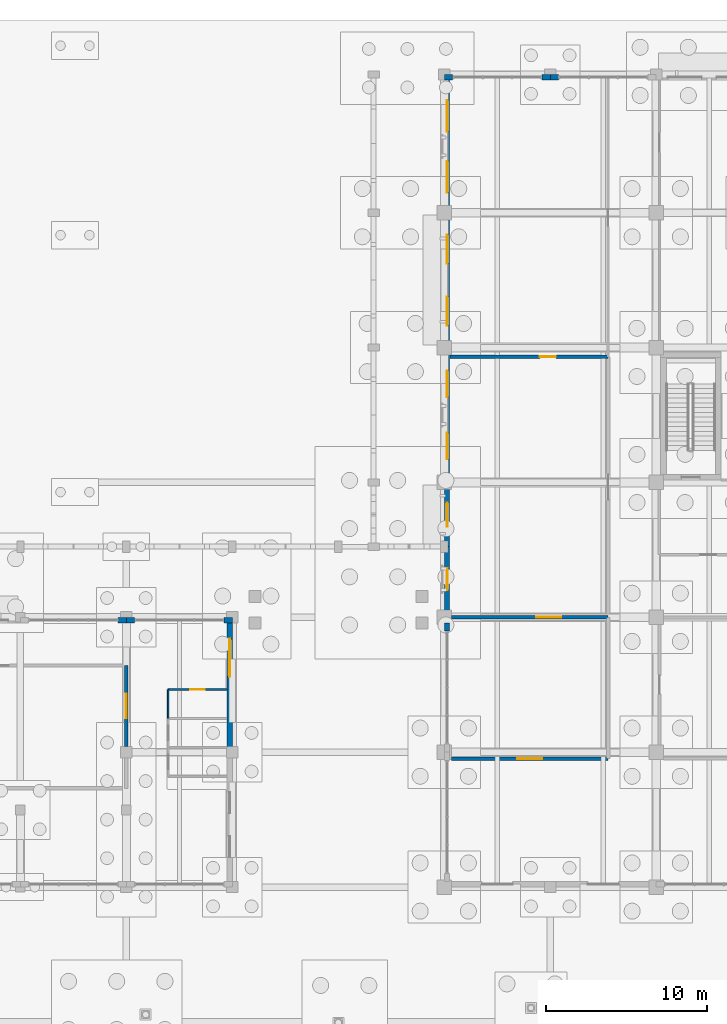
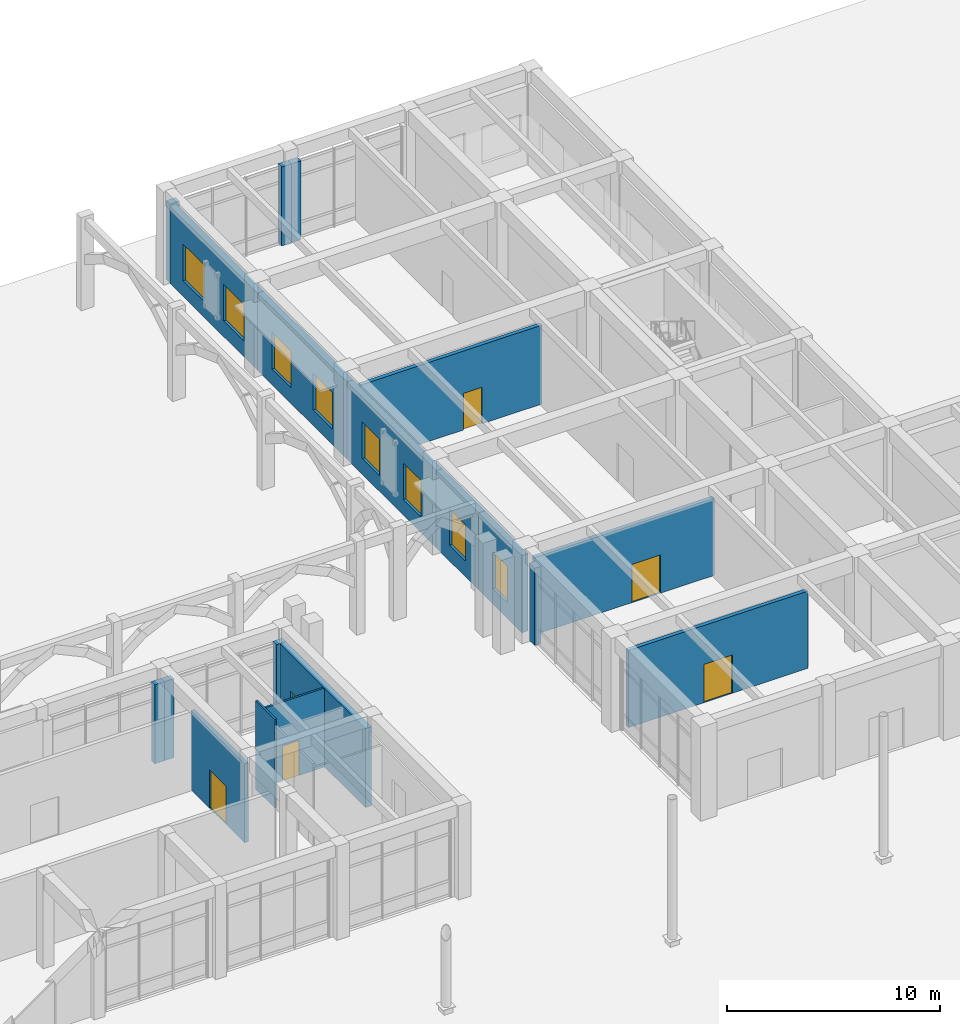
# One storey, part 58 of 82: 19 walls, 9 windows, 5 doors, 14 openings.
"""IFC4 building model written with IfcOpenShell, lengths in metres."""

import ifcopenshell
import ifcopenshell.guid

model = None  # the IFC model being written
_history = None  # IfcOwnerHistory: only IFC2X3 demands one
_inside = {}  # id of a spatial element -> (the spatial element, [elements in it])
_under = {}  # id of a project, library or spatial element -> (it, [spatial elements below it])
_declared = {}  # id of a project -> (the project, [libraries it declares])
_typed = {}  # id of a type object -> (the type object, [elements of that type])
_made_of = {}  # id of a material, layer set ... -> (it, [elements and type objects made of it])


def new_model(schema):
    """Start an empty IFC model of exactly this schema.

    Asked for "IFC4X3", IfcOpenShell would pick the latest addendum, in which some entities
    have other attributes; the version numbers below select the first issue.
    IFC2X3 requires an IfcOwnerHistory on every rooted entity: one is made here for all.
    """
    global model, _history
    if schema == "IFC4X3":
        model = ifcopenshell.file(schema_version=(4, 3, 0, 0))
    else:
        model = ifcopenshell.file(schema=schema)
    _inside.clear()
    _under.clear()
    _declared.clear()
    _typed.clear()
    _made_of.clear()
    _history = None
    if model.schema == "IFC2X3":
        org = make("IfcOrganization", Name="unknown")
        user = make(
            "IfcPersonAndOrganization",
            ThePerson=make("IfcPerson", FamilyName="unknown"),
            TheOrganization=org,
        )
        app = make(
            "IfcApplication",
            ApplicationDeveloper=org,
            Version="unknown",
            ApplicationFullName="unknown",
            ApplicationIdentifier="unknown",
        )
        _history = make(
            "IfcOwnerHistory",
            OwningUser=user,
            OwningApplication=app,
            ChangeAction="ADDED",
            CreationDate=0,
        )
    return model


def make(cls, **values):
    """One entity of the class cls with the attributes given. An attribute that is None is left unset."""
    return model.create_entity(
        cls, **{name: value for name, value in values.items() if value is not None}
    )


def rooted(cls, **values):
    """An entity with a GlobalId (a new one), such as an element, a storey or a relation."""
    return make(cls, GlobalId=ifcopenshell.guid.new(), OwnerHistory=_history, **values)


def si_unit(unit_type, name, prefix=None):
    """IfcSIUnit, for example si_unit("LENGTHUNIT", "METRE", prefix="MILLI")."""
    return make("IfcSIUnit", UnitType=unit_type, Prefix=prefix, Name=name)


def assignment(units):
    """IfcUnitAssignment: the units of a project."""
    return None if units is None else make("IfcUnitAssignment", Units=units)


def point(xyz):
    """IfcCartesianPoint."""
    return None if xyz is None else make("IfcCartesianPoint", Coordinates=xyz)


def direction(xyz):
    """IfcDirection."""
    return None if xyz is None else make("IfcDirection", DirectionRatios=xyz)


def frame(location, z_axis=None, x_axis=None):
    """IfcAxis2Placement3D, a coordinate frame: its origin and axes. An axis left out is left unset."""
    return make(
        "IfcAxis2Placement3D",
        Location=point(location),
        Axis=direction(z_axis),
        RefDirection=direction(x_axis),
    )


def frame_2d(location, x_axis=None):
    """IfcAxis2Placement2D, a coordinate frame in the plane: its origin and x axis."""
    return make(
        "IfcAxis2Placement2D", Location=point(location), RefDirection=direction(x_axis)
    )


def origin():
    """The frame at (0, 0, 0) with its axes left unset."""
    return frame((0.0, 0.0, 0.0))


def place(relative_to, where):
    """IfcLocalPlacement: puts the frame where relative to a parent placement (None: the world)."""
    return make(
        "IfcLocalPlacement", PlacementRelTo=relative_to, RelativePlacement=where
    )


def context(
    kind, dimensions, precision=None, world=None, true_north=None, identifier=None
):
    """IfcGeometricRepresentationContext, for example the 3D "Model" context."""
    return make(
        "IfcGeometricRepresentationContext",
        ContextIdentifier=identifier,
        ContextType=kind,
        CoordinateSpaceDimension=dimensions,
        Precision=precision,
        WorldCoordinateSystem=world,
        TrueNorth=true_north,
    )


def subcontext(parent, identifier, kind, view, scale=None):
    """IfcGeometricRepresentationSubContext, for example "Body" below "Model"."""
    return make(
        "IfcGeometricRepresentationSubContext",
        ContextIdentifier=identifier,
        ContextType=kind,
        ParentContext=parent,
        TargetScale=scale,
        TargetView=view,
    )


def project(units=None, contexts=None):
    """IfcProject with its units and contexts."""
    return rooted(
        "IfcProject",
        Name="project",
        RepresentationContexts=contexts,
        UnitsInContext=assignment(units),
    )


def spatial(cls, under=None, at=None, **own):
    """A site, building, storey or space (cls), placed at a placement, below another one or the project."""
    s = rooted(cls, ObjectPlacement=at, **own)
    if under is not None:
        _under.setdefault(under.id(), (under, []))[1].append(s)
    return s


def profile(cls, at=None, kind="AREA", **sizes):
    """A parametric profile (cls). Its sizes go by their IFC names, for example OverallWidth=200.0."""
    return make(cls, ProfileType=kind, Position=at, **sizes)


def rectangle(**sizes):
    """IfcRectangleProfileDef."""
    return profile("IfcRectangleProfileDef", **sizes)


def extrude(swept, where, along, depth):
    """IfcExtrudedAreaSolid: the profile swept, set in the frame where, extruded along a direction by depth."""
    return make(
        "IfcExtrudedAreaSolid",
        SweptArea=swept,
        Position=where,
        ExtrudedDirection=direction(along),
        Depth=depth,
    )


def shape(context_of_items, identifier, shape_type, items):
    """IfcShapeRepresentation: the items that make up one representation, for example the "Body"."""
    return make(
        "IfcShapeRepresentation",
        ContextOfItems=context_of_items,
        RepresentationIdentifier=identifier,
        RepresentationType=shape_type,
        Items=items,
    )


def material(Name=None, Category=None):
    """IfcMaterial."""
    return make("IfcMaterial", Name=Name, Category=Category)


def layer(
    of_material, thickness, ventilated=None, Name=None, Category=None, Priority=None
):
    """IfcMaterialLayer: one layer of a wall or slab, of a material (None: an air gap)."""
    return make(
        "IfcMaterialLayer",
        Material=of_material,
        LayerThickness=thickness,
        IsVentilated=ventilated,
        Name=Name,
        Category=Category,
        Priority=Priority,
    )


def layer_set(layers, Name=None):
    """IfcMaterialLayerSet."""
    return make("IfcMaterialLayerSet", MaterialLayers=layers, LayerSetName=Name)


def made_of(thing, what):
    """Note that an element or type object is made of a material, layer set ...; save() writes the relation."""
    if what is not None:
        _made_of.setdefault(what.id(), (what, []))[1].append(thing)
    return thing


def type_object(cls, material=None, **own):
    """A type object (cls), such as IfcWallType, which elements share."""
    return made_of(rooted(cls, **own), material)


def element(
    cls,
    number,
    at=None,
    inside=None,
    cuts=None,
    type_object=None,
    material=None,
    context=None,
    identifier="Body",
    shape_type=None,
    held_by="IfcProductDefinitionShape",
    body=None,
    shapes=None,
    **own,
):
    """One element of the class cls, such as IfcWall. Its Tag is "e" and its number.

    at: its placement. inside: the storey or other place that contains it. cuts: it is an
    opening in that element (IfcRelVoidsElement). A single representation is given by context,
    identifier, shape_type and body (its items); several are given by shapes. held_by: the class
    of the entity that holds the representations. save() writes the other relations.
    """
    e = rooted(cls, Tag="e%d" % number, ObjectPlacement=at, **own)
    if body is not None:
        shapes = [shape(context, identifier, shape_type, body)]
    if shapes is not None:
        e.Representation = make(held_by, Representations=shapes)
    if inside is not None:
        _inside.setdefault(inside.id(), (inside, []))[1].append(e)
    if cuts is not None:
        rooted(
            "IfcRelVoidsElement", RelatingBuildingElement=cuts, RelatedOpeningElement=e
        )
    if type_object is not None:
        _typed.setdefault(type_object.id(), (type_object, []))[1].append(e)
    return made_of(e, material)


def fill(opening, filler):
    """IfcRelFillsElement: the door or window that sits in an opening."""
    return rooted(
        "IfcRelFillsElement",
        RelatingOpeningElement=opening,
        RelatedBuildingElement=filler,
    )


def aggregate(whole, parts):
    """IfcRelAggregates: a whole, such as a stair, and the parts it consists of."""
    return rooted("IfcRelAggregates", RelatingObject=whole, RelatedObjects=parts)


def save(model, path):
    """Write the relations noted so far, then the file.

    IfcRelAggregates (storeys below a building ...), IfcRelContainedInSpatialStructure (elements
    in a storey), IfcRelDefinesByType, IfcRelAssociatesMaterial and IfcRelDeclares: one each for
    every whole, place, type object, material and project.
    """
    for whole, parts in _under.values():
        aggregate(whole, parts)
    for where, things in _inside.values():
        rooted(
            "IfcRelContainedInSpatialStructure",
            RelatedElements=things,
            RelatingStructure=where,
        )
    for kind, things in _typed.values():
        rooted("IfcRelDefinesByType", RelatedObjects=things, RelatingType=kind)
    for what, things in _made_of.values():
        rooted("IfcRelAssociatesMaterial", RelatedObjects=things, RelatingMaterial=what)
    for by, libraries in _declared.values():
        rooted("IfcRelDeclares", RelatingContext=by, RelatedDefinitions=libraries)
    model.write(path)


model = new_model("IFC4")

# Units and contexts
model_context = context("Model", 3, precision=1e-05, world=origin(), true_north=direction((0.0, 1.0)))
body_context = subcontext(model_context, "Body", "Model", "MODEL_VIEW")
ifc_project = project(units=[si_unit("LENGTHUNIT", "METRE"), si_unit("AREAUNIT", "SQUARE_METRE"), si_unit("VOLUMEUNIT", "CUBIC_METRE"), si_unit("PLANEANGLEUNIT", "RADIAN"), si_unit("MASSUNIT", "GRAM", prefix="KILO")], contexts=[model_context])

# Site, building, storey
site_placement = place(None, origin())
site = spatial("IfcSite", under=ifc_project, at=site_placement, CompositionType="ELEMENT")
building_placement = place(site_placement, origin())
building = spatial("IfcBuilding", under=site, at=building_placement, Name="Kolvaren Faculty of Natural Sciences", CompositionType="ELEMENT")
storey_placement = place(building_placement, origin())
storey = spatial("IfcBuildingStorey", under=building, at=storey_placement, Name="L00", CompositionType="ELEMENT", Elevation=0.0)

# Wall, opening, door
ifc_material_1 = material(Name="Autoclaved aerated fire-rated masonry blockwork", Category="masonry")
ifc_layer_1 = layer(ifc_material_1, 0.2099609375)
ifc_layer_set_1 = layer_set([ifc_layer_1], Name="Autoclaved aerated fire-rated masonry blockwork")
wall_type_1 = type_object("IfcWallType", Name="AcousticLectureWall_210", PredefinedType="PARTITIONING", material=ifc_layer_set_1)
wall_1_placement = place(storey_placement, frame((129.199951171875, 84.199951171875, 0.0), z_axis=(0.0, 0.0, 1.0), x_axis=(-1.0, 0.0, 0.0)))
wall_1 = element("IfcWall", 1, at=wall_1_placement, inside=storey, type_object=wall_type_1, Name="L00 interior partition PW-210", PredefinedType="PARTITIONING", context=body_context, shape_type="SweptSolid", body=[
    extrude(rectangle(XDim=9.75, YDim=0.2099609375, at=frame_2d((4.875, 0.0))), origin(), (0.0, 0.0, 1.0), 4.43505859375),
])
opening_1_placement = place(wall_1_placement, frame((2.929931640625, 0.0, 0.0)))
opening_1 = element("IfcOpeningElement", 2, at=opening_1_placement, cuts=wall_1, Name="Opening FD30-D", PredefinedType="OPENING", context=body_context, shape_type="SweptSolid", body=[
    extrude(rectangle(XDim=1.550048828125, YDim=2.199951171875, at=frame_2d((0.77490234375, 1.10009765625))), frame((0.0, 0.114990234375, 0.0), z_axis=(0.0, -1.0, 0.0), x_axis=(1.0, 0.0, 0.0)), (0.0, 0.0, 1.0), 0.22998046875),
])
ifc_material_2 = material(Name="Fire-rated solid-core hardwood door leaf in steel frame", Category="steel")
door_type_1 = type_object("IfcDoorType", Name="AssemblyDoubleFireDoor_1550x2200", OperationType="DOUBLE_DOOR_SINGLE_SWING", PredefinedType="DOOR", material=ifc_material_2)
door_1_placement = place(opening_1_placement, origin())
door_1 = element("IfcDoor", 3, at=door_1_placement, inside=storey, type_object=door_type_1, Name="D-L00-0045", OperationType="DOUBLE_DOOR_SINGLE_SWING", OverallHeight=2.199951171875, OverallWidth=1.550048828125, PredefinedType="DOOR", context=body_context, shape_type="SweptSolid", body=[
    extrude(rectangle(XDim=1.550048828125, YDim=2.199951171875, at=frame_2d((0.77490234375, 1.10009765625))), frame((0.0, 0.02490234375, 0.0), z_axis=(0.0, -1.0, 0.0), x_axis=(1.0, 0.0, 0.0)), (0.0, 0.0, 1.0), 0.050048828125),
])
fill(opening_1, door_1)

wall_2_placement = place(storey_placement, frame((119.342041015625, 100.424072265625, 0.0), z_axis=(0.0, 0.0, 1.0), x_axis=(1.0, 0.0, 0.0)))
wall_2 = element("IfcWall", 4, at=wall_2_placement, inside=storey, type_object=wall_type_1, Name="L00 interior partition PW-210", PredefinedType="PARTITIONING", context=body_context, shape_type="SweptSolid", body=[
    extrude(rectangle(XDim=9.85791015625, YDim=0.2099609375, at=frame_2d((4.928955078125, 0.0))), origin(), (0.0, 0.0, 1.0), 4.534912109375),
])
opening_2_placement = place(wall_2_placement, frame((5.612060546875, 0.0, 0.0)))
opening_2 = element("IfcOpeningElement", 5, at=opening_2_placement, cuts=wall_2, Name="Opening FD30", PredefinedType="OPENING", context=body_context, shape_type="SweptSolid", body=[
    extrude(rectangle(XDim=1.0, YDim=2.10009765625, at=frame_2d((0.5, 1.050048828125))), frame((0.0, 0.114990234375, 0.0), z_axis=(0.0, -1.0, 0.0), x_axis=(1.0, 0.0, 0.0)), (0.0, 0.0, 1.0), 0.22998046875),
])
door_type_2 = type_object("IfcDoorType", Name="CorridorFireDoor_1000x2100", OperationType="NOTDEFINED", PredefinedType="DOOR", material=ifc_material_2)
door_2_placement = place(opening_2_placement, origin())
door_2 = element("IfcDoor", 6, at=door_2_placement, inside=storey, type_object=door_type_2, Name="D-L00-0064", OperationType="SINGLE_SWING_RIGHT", OverallHeight=2.10009765625, OverallWidth=1.0, PredefinedType="DOOR", context=body_context, shape_type="SweptSolid", body=[
    extrude(rectangle(XDim=1.0, YDim=2.10009765625, at=frame_2d((0.5, 1.050048828125))), frame((0.0, 0.02490234375, 0.0), z_axis=(0.0, -1.0, 0.0), x_axis=(1.0, 0.0, 0.0)), (0.0, 0.0, 1.0), 0.050048828125),
])
fill(opening_2, door_2)

wall_3_placement = place(storey_placement, frame((129.199951171875, 75.39990234375, 0.0), z_axis=(0.0, 0.0, 1.0), x_axis=(-1.0, 0.0, 0.0)))
wall_3 = element("IfcWall", 7, at=wall_3_placement, inside=storey, type_object=wall_type_1, Name="L00 interior partition PW-210", PredefinedType="PARTITIONING", context=body_context, shape_type="SweptSolid", body=[
    extrude(rectangle(XDim=9.75, YDim=0.2099609375, at=frame_2d((4.875, 0.0))), origin(), (0.0, 0.0, 1.0), 4.43505859375),
])
opening_3_placement = place(wall_3_placement, frame((4.10009765625, 0.0, 0.0)))
opening_3 = element("IfcOpeningElement", 8, at=opening_3_placement, cuts=wall_3, Name="Opening FD30-D", PredefinedType="OPENING", context=body_context, shape_type="SweptSolid", body=[
    extrude(rectangle(XDim=1.550048828125, YDim=2.199951171875, at=frame_2d((0.77490234375, 1.10009765625))), frame((0.0, 0.114990234375, 0.0), z_axis=(0.0, -1.0, 0.0), x_axis=(1.0, 0.0, 0.0)), (0.0, 0.0, 1.0), 0.22998046875),
])
door_3_placement = place(opening_3_placement, origin())
door_3 = element("IfcDoor", 9, at=door_3_placement, inside=storey, type_object=door_type_1, Name="D-L00-0046", OperationType="DOUBLE_DOOR_SINGLE_SWING", OverallHeight=2.199951171875, OverallWidth=1.550048828125, PredefinedType="DOOR", context=body_context, shape_type="SweptSolid", body=[
    extrude(rectangle(XDim=1.550048828125, YDim=2.199951171875, at=frame_2d((0.77490234375, 1.10009765625))), frame((0.0, 0.02490234375, 0.0), z_axis=(0.0, -1.0, 0.0), x_axis=(1.0, 0.0, 0.0)), (0.0, 0.0, 1.0), 0.050048828125),
])
fill(opening_3, door_3)

wall_4_placement = place(storey_placement, frame((99.199951171875, 81.199951171875, 0.0), z_axis=(0.0, 0.0, 1.0), x_axis=(0.0, -1.0, 0.0)))
wall_4 = element("IfcWall", 10, at=wall_4_placement, inside=storey, type_object=wall_type_1, Name="L00 interior partition PW-210", PredefinedType="PARTITIONING", context=body_context, shape_type="SweptSolid", body=[
    extrude(rectangle(XDim=5.050048828125, YDim=0.2099609375, at=frame_2d((2.52490234375, 0.0))), origin(), (0.0, 0.0, 1.0), 4.534912109375),
])
opening_4_placement = place(wall_4_placement, frame((1.75, 0.0, 0.0)))
opening_4 = element("IfcOpeningElement", 11, at=opening_4_placement, cuts=wall_4, Name="Opening FD30-D", PredefinedType="OPENING", context=body_context, shape_type="SweptSolid", body=[
    extrude(rectangle(XDim=1.550048828125, YDim=2.199951171875, at=frame_2d((0.77490234375, 1.10009765625))), frame((0.0, 0.114990234375, 0.0), z_axis=(0.0, -1.0, 0.0), x_axis=(1.0, 0.0, 0.0)), (0.0, 0.0, 1.0), 0.22998046875),
])
door_4_placement = place(opening_4_placement, origin())
door_4 = element("IfcDoor", 12, at=door_4_placement, inside=storey, type_object=door_type_1, Name="D-L00-0050", OperationType="DOUBLE_DOOR_SINGLE_SWING", OverallHeight=2.199951171875, OverallWidth=1.550048828125, PredefinedType="DOOR", context=body_context, shape_type="SweptSolid", body=[
    extrude(rectangle(XDim=1.550048828125, YDim=2.199951171875, at=frame_2d((0.77490234375, 1.10009765625))), frame((0.0, 0.02490234375, 0.0), z_axis=(0.0, -1.0, 0.0), x_axis=(1.0, 0.0, 0.0)), (0.0, 0.0, 1.0), 0.050048828125),
])
fill(opening_4, door_4)

# Walls
ifc_material_3 = material(Name="Sandstone-faced insulated cavity masonry", Category="masonry")
ifc_layer_2 = layer(ifc_material_3, 0.340087890625)
ifc_layer_set_2 = layer_set([ifc_layer_2], Name="Sandstone-faced insulated cavity masonry")
wall_type_2 = type_object("IfcWallType", Name="ExteriorCavityWall_340", PredefinedType="STANDARD", material=ifc_layer_set_2)
for number, where, z_axis, x_axis, name in (
    (13, (98.679931640625, 84.030029296875, 0.0), (0.0, 0.0, 1.0), (1.0, 0.0, 0.0), "L00 curtain-wall pier stub 82"),
    (14, (99.199951171875, 84.030029296875, 0.0), (0.0, 0.0, 1.0), (1.0, 0.0, 0.0), "L00 curtain-wall pier stub 83"),
    (15, (105.280029296875, 84.030029296875, 0.0), (0.0, 0.0, 1.0), (1.0, 0.0, 0.0), "L00 curtain-wall pier stub 84"),
):
    element("IfcWall", number, at=place(storey_placement, frame(where, z_axis=z_axis, x_axis=x_axis)), inside=storey, type_object=wall_type_2, Name=name, PredefinedType="STANDARD", context=body_context, shape_type="SweptSolid", body=[
        extrude(rectangle(XDim=0.52001953125, YDim=0.340087890625, at=frame_2d((0.260009765625, 0.0))), origin(), (0.0, 0.0, 1.0), 4.534912109375),
    ])

# Wall, opening, window
wall_5_placement = place(storey_placement, frame((105.6298828125, 83.860107421875, 0.0), z_axis=(0.0, 0.0, 1.0), x_axis=(0.0, -1.0, 0.0)))
wall_5 = element("IfcWall", 16, at=wall_5_placement, inside=storey, type_object=wall_type_2, Name="L00 exterior masonry wall EW-340 (85)", PredefinedType="STANDARD", context=body_context, shape_type="SweptSolid", body=[
    extrude(rectangle(XDim=8.06005859375, YDim=0.340087890625, at=frame_2d((4.030029296875, 0.0))), origin(), (0.0, 0.0, 1.0), 4.534912109375),
])
opening_5_placement = place(wall_5_placement, frame((1.001220703125, 0.0, 0.89990234375)))
opening_5 = element("IfcOpeningElement", 17, at=opening_5_placement, cuts=wall_5, Name="Opening WIN-18", PredefinedType="OPENING", context=body_context, shape_type="SweptSolid", body=[
    extrude(rectangle(XDim=2.35009765625, YDim=1.5, at=frame_2d((1.175048828125, 0.75))), frame((0.0, 0.179931640625, 0.0), z_axis=(0.0, -1.0, 0.0), x_axis=(1.0, 0.0, 0.0)), (0.0, 0.0, 1.0), 0.360107421875),
])
ifc_material_4 = material(Name="Double low-E solar control insulated glazing", Category="glass")
window_type_1 = type_object("IfcWindowType", Name="AluWindow_WIN18_2350x1500", PartitioningType="SINGLE_PANEL", PredefinedType="WINDOW", material=ifc_material_4)
window_1_placement = place(opening_5_placement, origin())
window_1 = element("IfcWindow", 18, at=window_1_placement, inside=storey, type_object=window_type_1, Name="WIN-L00-0077", OverallHeight=1.5, OverallWidth=2.35009765625, PartitioningType="SINGLE_PANEL", PredefinedType="WINDOW", context=body_context, shape_type="SweptSolid", body=[
    extrude(rectangle(XDim=2.35009765625, YDim=1.5, at=frame_2d((1.175048828125, 0.75))), frame((0.0, 0.030029296875, 0.0), z_axis=(0.0, -1.0, 0.0), x_axis=(1.0, 0.0, 0.0)), (0.0, 0.0, 1.0), 0.06005859375),
])
fill(opening_5, window_1)

# Wall
wall_6_placement = place(storey_placement, frame((119.169921875, 83.340087890625, 0.0), z_axis=(0.0, 0.0, 1.0), x_axis=(0.0, 1.0, 0.0)))
element("IfcWall", 19, at=wall_6_placement, inside=storey, type_object=wall_type_2, Name="L00 curtain-wall pier stub 98", PredefinedType="STANDARD", context=body_context, shape_type="SweptSolid", body=[
    extrude(rectangle(XDim=0.52001953125, YDim=0.340087890625, at=frame_2d((0.260009765625, 0.0))), origin(), (0.0, 0.0, 1.0), 4.43505859375),
])

# Wall, opening, window
wall_7_placement = place(storey_placement, frame((119.169921875, 84.5400390625, 0.0), z_axis=(0.0, 0.0, 1.0), x_axis=(0.0, 1.0, 0.0)))
wall_7 = element("IfcWall", 20, at=wall_7_placement, inside=storey, type_object=wall_type_2, Name="L00 exterior masonry wall EW-340 (99)", PredefinedType="STANDARD", context=body_context, shape_type="SweptSolid", body=[
    extrude(rectangle(XDim=4.06005859375, YDim=0.340087890625, at=frame_2d((2.030029296875, 0.0))), origin(), (0.0, 0.0, 1.0), 4.43505859375),
])
opening_6_placement = place(wall_7_placement, frame((1.35498046875, 0.0, 0.89990234375)))
opening_6 = element("IfcOpeningElement", 21, at=opening_6_placement, cuts=wall_7, Name="Opening WIN-02", PredefinedType="OPENING", context=body_context, shape_type="SweptSolid", body=[
    extrude(rectangle(XDim=1.35009765625, YDim=2.10009765625, at=frame_2d((0.675048828125, 1.050048828125))), frame((0.0, 0.179931640625, 0.0), z_axis=(0.0, -1.0, 0.0), x_axis=(1.0, 0.0, 0.0)), (0.0, 0.0, 1.0), 0.360107421875),
])
window_type_2 = type_object("IfcWindowType", Name="AluWindow_WIN02_1350x2100", PartitioningType="SINGLE_PANEL", PredefinedType="WINDOW", material=ifc_material_4)
window_2_placement = place(opening_6_placement, origin())
window_2 = element("IfcWindow", 22, at=window_2_placement, inside=storey, type_object=window_type_2, Name="WIN-L00-0085", OverallHeight=2.10009765625, OverallWidth=1.35009765625, PartitioningType="SINGLE_PANEL", PredefinedType="WINDOW", context=body_context, shape_type="SweptSolid", body=[
    extrude(rectangle(XDim=1.35009765625, YDim=2.10009765625, at=frame_2d((0.675048828125, 1.050048828125))), frame((0.0, 0.030029296875, 0.0), z_axis=(0.0, -1.0, 0.0), x_axis=(1.0, 0.0, 0.0)), (0.0, 0.0, 1.0), 0.06005859375),
])
fill(opening_6, window_2)

wall_8_placement = place(storey_placement, frame((119.169921875, 88.60009765625, 0.0), z_axis=(0.0, 0.0, 1.0), x_axis=(0.0, 1.0, 0.0)))
wall_8 = element("IfcWall", 23, at=wall_8_placement, inside=storey, type_object=wall_type_2, Name="L00 exterior masonry wall EW-340 (100)", PredefinedType="STANDARD", context=body_context, shape_type="SweptSolid", body=[
    extrude(rectangle(XDim=4.0, YDim=0.340087890625, at=frame_2d((2.0, 0.0))), origin(), (0.0, 0.0, 1.0), 4.43505859375),
])
opening_7_placement = place(wall_8_placement, frame((1.25, 0.0, 0.89990234375)))
opening_7 = element("IfcOpeningElement", 24, at=opening_7_placement, cuts=wall_8, Name="Opening WIN-03", PredefinedType="OPENING", context=body_context, shape_type="SweptSolid", body=[
    extrude(rectangle(XDim=1.5, YDim=2.10009765625, at=frame_2d((0.75, 1.050048828125))), frame((0.0, 0.179931640625, 0.0), z_axis=(0.0, -1.0, 0.0), x_axis=(1.0, 0.0, 0.0)), (0.0, 0.0, 1.0), 0.360107421875),
])
window_type_3 = type_object("IfcWindowType", Name="AluWindow_WIN03_1500x2100", PartitioningType="SINGLE_PANEL", PredefinedType="WINDOW", material=ifc_material_4)
window_3_placement = place(opening_7_placement, origin())
window_3 = element("IfcWindow", 25, at=window_3_placement, inside=storey, type_object=window_type_3, Name="WIN-L00-0086", OverallHeight=2.10009765625, OverallWidth=1.5, PartitioningType="SINGLE_PANEL", PredefinedType="WINDOW", context=body_context, shape_type="SweptSolid", body=[
    extrude(rectangle(XDim=1.5, YDim=2.10009765625, at=frame_2d((0.75, 1.050048828125))), frame((0.0, 0.030029296875, 0.0), z_axis=(0.0, -1.0, 0.0), x_axis=(1.0, 0.0, 0.0)), (0.0, 0.0, 1.0), 0.06005859375),
])
fill(opening_7, window_3)

# Wall, openings, windows
wall_9_placement = place(storey_placement, frame((119.169921875, 92.60009765625, 0.0), z_axis=(0.0, 0.0, 1.0), x_axis=(0.0, 1.0, 0.0)))
wall_9 = element("IfcWall", 26, at=wall_9_placement, inside=storey, type_object=wall_type_2, Name="L00 exterior masonry wall EW-340 (101)", PredefinedType="STANDARD", context=body_context, shape_type="SweptSolid", body=[
    extrude(rectangle(XDim=8.39990234375, YDim=0.340087890625, at=frame_2d((4.199951171875, 0.0))), origin(), (0.0, 0.0, 1.0), 4.43505859375),
])
opening_8_placement = place(wall_9_placement, frame((1.443115234375, 0.0, 0.89990234375)))
opening_8 = element("IfcOpeningElement", 27, at=opening_8_placement, cuts=wall_9, Name="Opening WIN-04", PredefinedType="OPENING", context=body_context, shape_type="SweptSolid", body=[
    extrude(rectangle(XDim=1.64990234375, YDim=2.10009765625, at=frame_2d((0.824951171875, 1.050048828125))), frame((0.0, 0.179931640625, 0.0), z_axis=(0.0, -1.0, 0.0), x_axis=(1.0, 0.0, 0.0)), (0.0, 0.0, 1.0), 0.360107421875),
])
opening_9_placement = place(wall_9_placement, frame((5.306884765625, 0.0, 0.89990234375)))
opening_9 = element("IfcOpeningElement", 28, at=opening_9_placement, cuts=wall_9, Name="Opening WIN-04", PredefinedType="OPENING", context=body_context, shape_type="SweptSolid", body=[
    extrude(rectangle(XDim=1.64990234375, YDim=2.10009765625, at=frame_2d((0.824951171875, 1.050048828125))), frame((0.0, 0.179931640625, 0.0), z_axis=(0.0, -1.0, 0.0), x_axis=(1.0, 0.0, 0.0)), (0.0, 0.0, 1.0), 0.360107421875),
])
window_type_4 = type_object("IfcWindowType", Name="AluWindow_WIN04_1650x2100", PartitioningType="SINGLE_PANEL", PredefinedType="WINDOW", material=ifc_material_4)
window_4_placement = place(opening_8_placement, origin())
window_4 = element("IfcWindow", 29, at=window_4_placement, inside=storey, type_object=window_type_4, Name="WIN-L00-0087", OverallHeight=2.10009765625, OverallWidth=1.64990234375, PartitioningType="SINGLE_PANEL", PredefinedType="WINDOW", context=body_context, shape_type="SweptSolid", body=[
    extrude(rectangle(XDim=1.64990234375, YDim=2.10009765625, at=frame_2d((0.824951171875, 1.050048828125))), frame((0.0, 0.030029296875, 0.0), z_axis=(0.0, -1.0, 0.0), x_axis=(1.0, 0.0, 0.0)), (0.0, 0.0, 1.0), 0.06005859375),
])
fill(opening_8, window_4)
window_5_placement = place(opening_9_placement, origin())
window_5 = element("IfcWindow", 30, at=window_5_placement, inside=storey, type_object=window_type_4, Name="WIN-L00-0088", OverallHeight=2.10009765625, OverallWidth=1.64990234375, PartitioningType="SINGLE_PANEL", PredefinedType="WINDOW", context=body_context, shape_type="SweptSolid", body=[
    extrude(rectangle(XDim=1.64990234375, YDim=2.10009765625, at=frame_2d((0.824951171875, 1.050048828125))), frame((0.0, 0.030029296875, 0.0), z_axis=(0.0, -1.0, 0.0), x_axis=(1.0, 0.0, 0.0)), (0.0, 0.0, 1.0), 0.06005859375),
])
fill(opening_9, window_5)

wall_10_placement = place(storey_placement, frame((119.169921875, 101.0, 0.0), z_axis=(0.0, 0.0, 1.0), x_axis=(0.0, 1.0, 0.0)))
wall_10 = element("IfcWall", 31, at=wall_10_placement, inside=storey, type_object=wall_type_2, Name="L00 exterior masonry wall EW-340 (102)", PredefinedType="STANDARD", context=body_context, shape_type="SweptSolid", body=[
    extrude(rectangle(XDim=8.39990234375, YDim=0.340087890625, at=frame_2d((4.199951171875, 0.0))), origin(), (0.0, 0.0, 1.0), 4.43505859375),
])
opening_10_placement = place(wall_10_placement, frame((1.367919921875, 0.0, 0.89990234375)))
opening_10 = element("IfcOpeningElement", 32, at=opening_10_placement, cuts=wall_10, Name="Opening WIN-05", PredefinedType="OPENING", context=body_context, shape_type="SweptSolid", body=[
    extrude(rectangle(XDim=1.800048828125, YDim=2.10009765625, at=frame_2d((0.89990234375, 1.050048828125))), frame((0.0, 0.179931640625, 0.0), z_axis=(0.0, -1.0, 0.0), x_axis=(1.0, 0.0, 0.0)), (0.0, 0.0, 1.0), 0.360107421875),
])
opening_11_placement = place(wall_10_placement, frame((5.23193359375, 0.0, 0.89990234375)))
opening_11 = element("IfcOpeningElement", 33, at=opening_11_placement, cuts=wall_10, Name="Opening WIN-05", PredefinedType="OPENING", context=body_context, shape_type="SweptSolid", body=[
    extrude(rectangle(XDim=1.800048828125, YDim=2.10009765625, at=frame_2d((0.89990234375, 1.050048828125))), frame((0.0, 0.179931640625, 0.0), z_axis=(0.0, -1.0, 0.0), x_axis=(1.0, 0.0, 0.0)), (0.0, 0.0, 1.0), 0.360107421875),
])
window_type_5 = type_object("IfcWindowType", Name="AluWindow_WIN05_1800x2100", PartitioningType="SINGLE_PANEL", PredefinedType="WINDOW", material=ifc_material_4)
window_6_placement = place(opening_10_placement, origin())
window_6 = element("IfcWindow", 34, at=window_6_placement, inside=storey, type_object=window_type_5, Name="WIN-L00-0089", OverallHeight=2.10009765625, OverallWidth=1.800048828125, PartitioningType="SINGLE_PANEL", PredefinedType="WINDOW", context=body_context, shape_type="SweptSolid", body=[
    extrude(rectangle(XDim=1.800048828125, YDim=2.10009765625, at=frame_2d((0.89990234375, 1.050048828125))), frame((0.0, 0.030029296875, 0.0), z_axis=(0.0, -1.0, 0.0), x_axis=(1.0, 0.0, 0.0)), (0.0, 0.0, 1.0), 0.06005859375),
])
fill(opening_10, window_6)
window_7_placement = place(opening_11_placement, origin())
window_7 = element("IfcWindow", 35, at=window_7_placement, inside=storey, type_object=window_type_5, Name="WIN-L00-0090", OverallHeight=2.10009765625, OverallWidth=1.800048828125, PartitioningType="SINGLE_PANEL", PredefinedType="WINDOW", context=body_context, shape_type="SweptSolid", body=[
    extrude(rectangle(XDim=1.800048828125, YDim=2.10009765625, at=frame_2d((0.89990234375, 1.050048828125))), frame((0.0, 0.030029296875, 0.0), z_axis=(0.0, -1.0, 0.0), x_axis=(1.0, 0.0, 0.0)), (0.0, 0.0, 1.0), 0.06005859375),
])
fill(opening_11, window_7)

wall_11_placement = place(storey_placement, frame((119.169921875, 109.39990234375, 0.0), z_axis=(0.0, 0.0, 1.0), x_axis=(0.0, 1.0, 0.0)))
wall_11 = element("IfcWall", 36, at=wall_11_placement, inside=storey, type_object=wall_type_2, Name="L00 exterior masonry wall EW-340 (103)", PredefinedType="STANDARD", context=body_context, shape_type="SweptSolid", body=[
    extrude(rectangle(XDim=8.260009765625, YDim=0.340087890625, at=frame_2d((4.1298828125, 0.0))), origin(), (0.0, 0.0, 1.0), 4.43505859375),
])
opening_12_placement = place(wall_11_placement, frame((1.255126953125, 0.0, 0.89990234375)))
opening_12 = element("IfcOpeningElement", 37, at=opening_12_placement, cuts=wall_11, Name="Opening WIN-06", PredefinedType="OPENING", context=body_context, shape_type="SweptSolid", body=[
    extrude(rectangle(XDim=1.949951171875, YDim=2.10009765625, at=frame_2d((0.97509765625, 1.050048828125))), frame((0.0, 0.179931640625, 0.0), z_axis=(0.0, -1.0, 0.0), x_axis=(1.0, 0.0, 0.0)), (0.0, 0.0, 1.0), 0.360107421875),
])
opening_13_placement = place(wall_11_placement, frame((5.0546875, 0.0, 0.89990234375)))
opening_13 = element("IfcOpeningElement", 38, at=opening_13_placement, cuts=wall_11, Name="Opening WIN-06", PredefinedType="OPENING", context=body_context, shape_type="SweptSolid", body=[
    extrude(rectangle(XDim=1.949951171875, YDim=2.10009765625, at=frame_2d((0.97509765625, 1.050048828125))), frame((0.0, 0.179931640625, 0.0), z_axis=(0.0, -1.0, 0.0), x_axis=(1.0, 0.0, 0.0)), (0.0, 0.0, 1.0), 0.360107421875),
])
window_type_6 = type_object("IfcWindowType", Name="AluWindow_WIN06_1950x2100", PartitioningType="SINGLE_PANEL", PredefinedType="WINDOW", material=ifc_material_4)
window_8_placement = place(opening_12_placement, origin())
window_8 = element("IfcWindow", 39, at=window_8_placement, inside=storey, type_object=window_type_6, Name="WIN-L00-0091", OverallHeight=2.10009765625, OverallWidth=1.949951171875, PartitioningType="SINGLE_PANEL", PredefinedType="WINDOW", context=body_context, shape_type="SweptSolid", body=[
    extrude(rectangle(XDim=1.949951171875, YDim=2.10009765625, at=frame_2d((0.97509765625, 1.050048828125))), frame((0.0, 0.030029296875, 0.0), z_axis=(0.0, -1.0, 0.0), x_axis=(1.0, 0.0, 0.0)), (0.0, 0.0, 1.0), 0.06005859375),
])
fill(opening_12, window_8)
window_9_placement = place(opening_13_placement, origin())
window_9 = element("IfcWindow", 40, at=window_9_placement, inside=storey, type_object=window_type_6, Name="WIN-L00-0092", OverallHeight=2.10009765625, OverallWidth=1.949951171875, PartitioningType="SINGLE_PANEL", PredefinedType="WINDOW", context=body_context, shape_type="SweptSolid", body=[
    extrude(rectangle(XDim=1.949951171875, YDim=2.10009765625, at=frame_2d((0.97509765625, 1.050048828125))), frame((0.0, 0.030029296875, 0.0), z_axis=(0.0, -1.0, 0.0), x_axis=(1.0, 0.0, 0.0)), (0.0, 0.0, 1.0), 0.06005859375),
])
fill(opening_13, window_9)

# Walls
for number, where, z_axis, x_axis, name in (
    (41, (119.0, 117.830078125, 0.0), (0.0, 0.0, 1.0), (1.0, 0.0, 0.0), "L00 curtain-wall pier stub 104"),
    (42, (125.080078125, 117.830078125, 0.0), (0.0, 0.0, 1.0), (1.0, 0.0, 0.0), "L00 curtain-wall pier stub 105"),
    (43, (125.60009765625, 117.830078125, 0.0), (0.0, 0.0, 1.0), (1.0, 0.0, 0.0), "L00 curtain-wall pier stub 106"),
):
    element("IfcWall", number, at=place(storey_placement, frame(where, z_axis=z_axis, x_axis=x_axis)), inside=storey, type_object=wall_type_2, Name=name, PredefinedType="STANDARD", context=body_context, shape_type="SweptSolid", body=[
        extrude(rectangle(XDim=0.52001953125, YDim=0.340087890625, at=frame_2d((0.260009765625, 0.0))), origin(), (0.0, 0.0, 1.0), 4.534912109375),
    ])

# Wall, opening, door
ifc_material_5 = material(Name="Acoustic mineral-wool insulated gypsum partition")
ifc_layer_3 = layer(ifc_material_5, 0.10498046875)
ifc_layer_set_3 = layer_set([ifc_layer_3], Name="Acoustic mineral-wool insulated gypsum partition")
wall_type_3 = type_object("IfcWallType", Name="WetRoomPartition_105", PredefinedType="PARTITIONING", material=ifc_layer_set_3)
wall_12_placement = place(storey_placement, frame((101.800048828125, 79.699951171875, 0.0), z_axis=(0.0, 0.0, 1.0), x_axis=(1.0, 0.0, 0.0)))
wall_12 = element("IfcWall", 44, at=wall_12_placement, inside=storey, type_object=wall_type_3, Name="L00 interior partition PW-105", PredefinedType="PARTITIONING", context=body_context, shape_type="SweptSolid", body=[
    extrude(rectangle(XDim=3.657958984375, YDim=0.10498046875, at=frame_2d((1.8291015625, 0.0))), origin(), (0.0, 0.0, 1.0), 4.534912109375),
])
opening_14_placement = place(wall_12_placement, frame((1.37890625, 0.0, 0.0)))
opening_14 = element("IfcOpeningElement", 45, at=opening_14_placement, cuts=wall_12, Name="Opening ID-01", PredefinedType="OPENING", context=body_context, shape_type="SweptSolid", body=[
    extrude(rectangle(XDim=0.89990234375, YDim=2.02001953125, at=frame_2d((0.449951171875, 1.010009765625))), frame((0.0, 0.0625, 0.0), z_axis=(0.0, -1.0, 0.0), x_axis=(1.0, 0.0, 0.0)), (0.0, 0.0, 1.0), 0.125),
])
ifc_material_6 = material(Name="Solid-core hardwood veneer door leaf in steel frame", Category="steel")
door_type_3 = type_object("IfcDoorType", Name="InteriorRoomDoor_900x2020", OperationType="NOTDEFINED", PredefinedType="DOOR", material=ifc_material_6)
door_5_placement = place(opening_14_placement, origin())
door_5 = element("IfcDoor", 46, at=door_5_placement, inside=storey, type_object=door_type_3, Name="D-L00-0056", OperationType="SINGLE_SWING_RIGHT", OverallHeight=2.02001953125, OverallWidth=0.89990234375, PredefinedType="DOOR", context=body_context, shape_type="SweptSolid", body=[
    extrude(rectangle(XDim=0.89990234375, YDim=2.02001953125, at=frame_2d((0.449951171875, 1.010009765625))), frame((0.0, 0.02490234375, 0.0), z_axis=(0.0, -1.0, 0.0), x_axis=(1.0, 0.0, 0.0)), (0.0, 0.0, 1.0), 0.050048828125),
])
fill(opening_14, door_5)

# Wall
wall_13_placement = place(storey_placement, frame((101.800048828125, 77.89990234375, 0.0), z_axis=(0.0, 0.0, 1.0), x_axis=(0.0, 1.0, 0.0)))
element("IfcWall", 47, at=wall_13_placement, inside=storey, type_object=wall_type_3, Name="L00 interior partition PW-105", PredefinedType="PARTITIONING", context=body_context, shape_type="SweptSolid", body=[
    extrude(rectangle(XDim=1.800048828125, YDim=0.10498046875, at=frame_2d((0.89990234375, 0.0))), origin(), (0.0, 0.0, 1.0), 5.094970703125),
])

save(model, "model.ifc")
